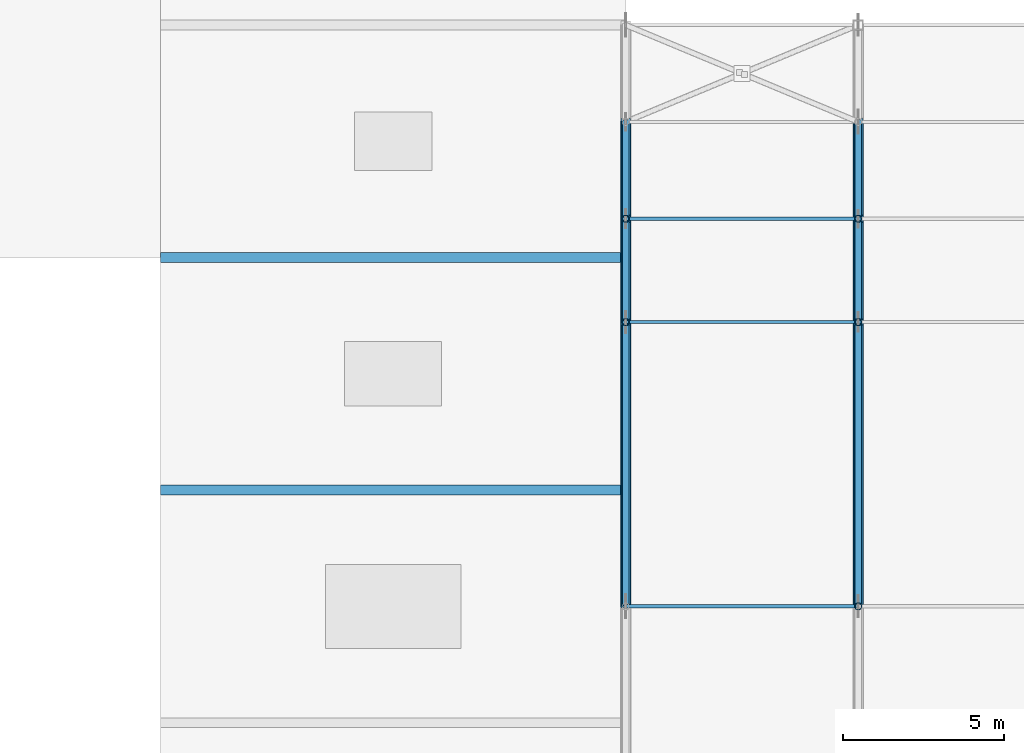
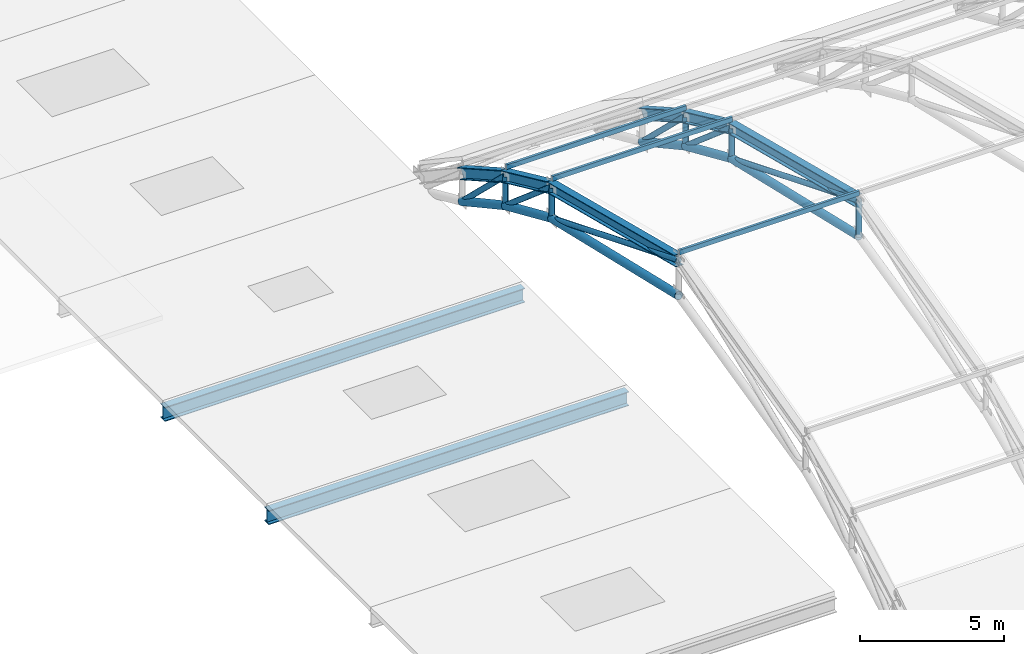
# One storey, part 16 of 63: 20 members, 8 beams.
"""IFC4 building model written with IfcOpenShell, lengths in metres."""

from ifc_helpers import new_model, si_unit, direction, frame, origin, origin_2d, place, context, subcontext, project, spatial, hollow_rectangle, hollow_circle, i_section, extrude, material, material_profile, profile_set, type_object, element, save


model = new_model("IFC4")

# Units and contexts
model_context = context("Model", 3, precision=1e-05, world=origin(), true_north=direction((0.0, 1.0)))
body_context = subcontext(model_context, "Body", "Model", "MODEL_VIEW")
ifc_project = project(units=[si_unit("LENGTHUNIT", "METRE"), si_unit("AREAUNIT", "SQUARE_METRE"), si_unit("VOLUMEUNIT", "CUBIC_METRE"), si_unit("PLANEANGLEUNIT", "RADIAN"), si_unit("MASSUNIT", "GRAM", prefix="KILO")], contexts=[model_context])

# Site, building, storey
site_placement = place(None, origin())
site = spatial("IfcSite", under=ifc_project, at=site_placement, CompositionType="ELEMENT")
building_placement = place(site_placement, origin())
building = spatial("IfcBuilding", under=site, at=building_placement, Name="Solvadek Multi-Sports Hall", CompositionType="ELEMENT")
storey_placement = place(building_placement, frame((0.0, 0.0, 19.199951171875)))
storey = spatial("IfcBuildingStorey", under=building, at=storey_placement, Name="RF", CompositionType="ELEMENT", Elevation=19.199951171875)

# Beams
ifc_material_1 = material(Name="Steel E350 (350 MPa)", Category="steel")
ifc_material_profile_1 = material_profile(ifc_material_1, i_section(OverallWidth=0.300048828125, OverallDepth=0.60009765625, WebThickness=0.015380859375, FlangeThickness=0.030029296875, at=origin_2d()), Name="WPB 600")
ifc_profile_set_1 = profile_set([ifc_material_profile_1], Name="Steel E350 (350 MPa)")
beam_type_1 = type_object("IfcBeamType", Name="STR-BM-WPB600", PredefinedType="BEAM", material=ifc_profile_set_1)
for number, where, z_axis, x_axis, name in (
    (1, (72.0, 27.60009765625, -4.099853515625), (1.0, 0.0, 0.0), (0.0, 1.0, 0.0), "V3 Passage Portal Girder #3"),
    (2, (72.0, 34.800048828125, -4.099853515625), (1.0, 0.0, 0.0), (0.0, 1.0, 0.0), "V3 Passage Portal Girder #4"),
):
    element("IfcBeam", number, at=place(storey_placement, frame(where, z_axis=z_axis, x_axis=x_axis)), inside=storey, type_object=beam_type_1, Name=name, PredefinedType="BEAM", context=body_context, shape_type="SweptSolid", body=[
        extrude(i_section(OverallWidth=0.300048828125, OverallDepth=0.60009765625, WebThickness=0.015380859375, FlangeThickness=0.030029296875, at=origin_2d()), origin(), (0.0, 0.0, 1.0), 14.39990234375),
    ])

# Members
ifc_material_profile_2 = material_profile(ifc_material_1, hollow_circle(Radius=0.109619140625, WallThickness=0.010009765625, at=origin_2d()), Name="CHS 219.1x10")
ifc_profile_set_2 = profile_set([ifc_material_profile_2], Name="Steel E350 (350 MPa)")
member_type_1 = type_object("IfcMemberType", Name="STR-BRC-CHS219", PredefinedType="BRACE", material=ifc_profile_set_2)
member_1_placement = place(storey_placement, frame((86.39990234375, 24.0, 3.85009765625), z_axis=(0.0, 0.927015158586, -0.375023860244), x_axis=(-1.0, 0.0, 0.0)))
element("IfcMember", 3, at=member_1_placement, inside=storey, type_object=member_type_1, Name="v1 Truss 1 Web Diagonal 5", PredefinedType="BRACE", context=body_context, shape_type="SweptSolid", body=[
    extrude(hollow_circle(Radius=0.109619140625, WallThickness=0.010009765625, at=origin_2d()), origin(), (0.0, 0.0, 1.0), 9.492919921875),
])
member_2_placement = place(storey_placement, frame((86.39990234375, 32.800048828125, 0.2900390625), z_axis=(0.0, 0.0, 1.0), x_axis=(1.0, 0.0, 0.0)))
element("IfcMember", 4, at=member_2_placement, inside=storey, type_object=member_type_1, Name="v1 Truss 1 Web Vertical 5", PredefinedType="BRACE", context=body_context, shape_type="SweptSolid", body=[
    extrude(hollow_circle(Radius=0.109619140625, WallThickness=0.010009765625, at=origin_2d()), origin(), (0.0, 0.0, 1.0), 1.3291015625),
])
member_3_placement = place(storey_placement, frame((86.39990234375, 32.800048828125, 1.619140625), z_axis=(0.0, 0.760074683686, -0.649835729411), x_axis=(-1.0, 0.0, 0.0)))
element("IfcMember", 5, at=member_3_placement, inside=storey, type_object=member_type_1, Name="v1 Truss 1 Web Diagonal 6", PredefinedType="BRACE", context=body_context, shape_type="SweptSolid", body=[
    extrude(hollow_circle(Radius=0.109619140625, WallThickness=0.010009765625, at=origin_2d()), origin(), (0.0, 0.0, 1.0), 4.2099609375),
])
member_4_placement = place(storey_placement, frame((86.39990234375, 36.0, -1.11669921875), z_axis=(0.0, 0.0, 1.0), x_axis=(1.0, 0.0, 0.0)))
element("IfcMember", 6, at=member_4_placement, inside=storey, type_object=member_type_1, Name="v1 Truss 1 Web Vertical 6", PredefinedType="BRACE", context=body_context, shape_type="SweptSolid", body=[
    extrude(hollow_circle(Radius=0.109619140625, WallThickness=0.010009765625, at=origin_2d()), origin(), (0.0, 0.0, 1.0), 1.266845703125),
])
member_5_placement = place(storey_placement, frame((86.39990234375, 36.0, 0.150146484375), z_axis=(0.0, 0.718473942669, -0.695553875487), x_axis=(-1.0, 0.0, 0.0)))
element("IfcMember", 7, at=member_5_placement, inside=storey, type_object=member_type_1, Name="v1 Truss 1 Web Diagonal 7", PredefinedType="BRACE", context=body_context, shape_type="SweptSolid", body=[
    extrude(hollow_circle(Radius=0.109619140625, WallThickness=0.010009765625, at=origin_2d()), origin(), (0.0, 0.0, 1.0), 4.175537109375),
])
member_6_placement = place(storey_placement, frame((93.60009765625, 24.0, 2.35009765625), z_axis=(0.0, 0.0, 1.0), x_axis=(1.0, 0.0, 0.0)))
element("IfcMember", 8, at=member_6_placement, inside=storey, type_object=member_type_1, Name="v1 Truss 2 Web Vertical 4", PredefinedType="BRACE", context=body_context, shape_type="SweptSolid", body=[
    extrude(hollow_circle(Radius=0.109619140625, WallThickness=0.010009765625, at=origin_2d()), origin(), (0.0, 0.0, 1.0), 1.5),
])
member_7_placement = place(storey_placement, frame((93.60009765625, 24.0, 3.85009765625), z_axis=(0.0, 0.927015158586, -0.375023860244), x_axis=(-1.0, 0.0, 0.0)))
element("IfcMember", 9, at=member_7_placement, inside=storey, type_object=member_type_1, Name="v1 Truss 2 Web Diagonal 5", PredefinedType="BRACE", context=body_context, shape_type="SweptSolid", body=[
    extrude(hollow_circle(Radius=0.109619140625, WallThickness=0.010009765625, at=origin_2d()), origin(), (0.0, 0.0, 1.0), 9.492919921875),
])
member_8_placement = place(storey_placement, frame((93.60009765625, 32.800048828125, 0.2900390625), z_axis=(0.0, 0.0, 1.0), x_axis=(1.0, 0.0, 0.0)))
element("IfcMember", 10, at=member_8_placement, inside=storey, type_object=member_type_1, Name="v1 Truss 2 Web Vertical 5", PredefinedType="BRACE", context=body_context, shape_type="SweptSolid", body=[
    extrude(hollow_circle(Radius=0.109619140625, WallThickness=0.010009765625, at=origin_2d()), origin(), (0.0, 0.0, 1.0), 1.3291015625),
])
member_9_placement = place(storey_placement, frame((93.60009765625, 32.800048828125, 1.619140625), z_axis=(0.0, 0.760074683686, -0.649835729411), x_axis=(-1.0, 0.0, 0.0)))
element("IfcMember", 11, at=member_9_placement, inside=storey, type_object=member_type_1, Name="v1 Truss 2 Web Diagonal 6", PredefinedType="BRACE", context=body_context, shape_type="SweptSolid", body=[
    extrude(hollow_circle(Radius=0.109619140625, WallThickness=0.010009765625, at=origin_2d()), origin(), (0.0, 0.0, 1.0), 4.2099609375),
])
member_10_placement = place(storey_placement, frame((93.60009765625, 36.0, -1.11669921875), z_axis=(0.0, 0.0, 1.0), x_axis=(1.0, 0.0, 0.0)))
element("IfcMember", 12, at=member_10_placement, inside=storey, type_object=member_type_1, Name="v1 Truss 2 Web Vertical 6", PredefinedType="BRACE", context=body_context, shape_type="SweptSolid", body=[
    extrude(hollow_circle(Radius=0.109619140625, WallThickness=0.010009765625, at=origin_2d()), origin(), (0.0, 0.0, 1.0), 1.266845703125),
])
member_11_placement = place(storey_placement, frame((93.60009765625, 36.0, 0.150146484375), z_axis=(0.0, 0.718473942669, -0.695553875487), x_axis=(-1.0, 0.0, 0.0)))
element("IfcMember", 13, at=member_11_placement, inside=storey, type_object=member_type_1, Name="v1 Truss 2 Web Diagonal 7", PredefinedType="BRACE", context=body_context, shape_type="SweptSolid", body=[
    extrude(hollow_circle(Radius=0.109619140625, WallThickness=0.010009765625, at=origin_2d()), origin(), (0.0, 0.0, 1.0), 4.175537109375),
])
ifc_material_profile_3 = material_profile(ifc_material_1, hollow_circle(Radius=0.161865234375, WallThickness=0.012451171875, at=origin_2d()), Name="CHS 323.9x12.5")
ifc_profile_set_3 = profile_set([ifc_material_profile_3], Name="Steel E350 (350 MPa)")
member_type_2 = type_object("IfcMemberType", Name="STR-CHD-CHS323", PredefinedType="CHORD", material=ifc_profile_set_3)
member_12_placement = place(storey_placement, frame((86.39990234375, 24.0, 2.35009765625), z_axis=(0.0, 0.973676572462, -0.227934052391), x_axis=(-1.0, 0.0, 0.0)))
element("IfcMember", 14, at=member_12_placement, inside=storey, type_object=member_type_2, Name="v1 Arched Truss 1 Bottom Chord 5", PredefinedType="CHORD", context=body_context, shape_type="SweptSolid", body=[
    extrude(hollow_circle(Radius=0.161865234375, WallThickness=0.012451171875, at=origin_2d()), origin(), (0.0, 0.0, 1.0), 9.037841796875),
])
member_13_placement = place(storey_placement, frame((86.39990234375, 32.800048828125, 0.2900390625), z_axis=(0.0, 0.915445777878, -0.402441334564), x_axis=(-1.0, 0.0, 0.0)))
element("IfcMember", 15, at=member_13_placement, inside=storey, type_object=member_type_2, Name="v1 Arched Truss 1 Bottom Chord 6", PredefinedType="CHORD", context=body_context, shape_type="SweptSolid", body=[
    extrude(hollow_circle(Radius=0.161865234375, WallThickness=0.012451171875, at=origin_2d()), origin(), (0.0, 0.0, 1.0), 3.49560546875),
])
member_14_placement = place(storey_placement, frame((86.39990234375, 36.0, -1.11669921875), z_axis=(0.0, 0.877761773463, -0.479097348195), x_axis=(-1.0, 0.0, 0.0)))
element("IfcMember", 16, at=member_14_placement, inside=storey, type_object=member_type_2, Name="v1 Arched Truss 1 Bottom Chord 7", PredefinedType="CHORD", context=body_context, shape_type="SweptSolid", body=[
    extrude(hollow_circle(Radius=0.161865234375, WallThickness=0.012451171875, at=origin_2d()), origin(), (0.0, 0.0, 1.0), 3.417724609375),
])
member_15_placement = place(storey_placement, frame((93.60009765625, 24.0, 2.35009765625), z_axis=(0.0, 0.973676572462, -0.227934052391), x_axis=(-1.0, 0.0, 0.0)))
element("IfcMember", 17, at=member_15_placement, inside=storey, type_object=member_type_2, Name="v1 Arched Truss 2 Bottom Chord 5", PredefinedType="CHORD", context=body_context, shape_type="SweptSolid", body=[
    extrude(hollow_circle(Radius=0.161865234375, WallThickness=0.012451171875, at=origin_2d()), origin(), (0.0, 0.0, 1.0), 9.037841796875),
])
member_16_placement = place(storey_placement, frame((93.60009765625, 32.800048828125, 0.2900390625), z_axis=(0.0, 0.915445777878, -0.402441334564), x_axis=(-1.0, 0.0, 0.0)))
element("IfcMember", 18, at=member_16_placement, inside=storey, type_object=member_type_2, Name="v1 Arched Truss 2 Bottom Chord 6", PredefinedType="CHORD", context=body_context, shape_type="SweptSolid", body=[
    extrude(hollow_circle(Radius=0.161865234375, WallThickness=0.012451171875, at=origin_2d()), origin(), (0.0, 0.0, 1.0), 3.49560546875),
])
member_17_placement = place(storey_placement, frame((93.60009765625, 36.0, -1.11669921875), z_axis=(0.0, 0.877761773463, -0.479097348195), x_axis=(-1.0, 0.0, 0.0)))
element("IfcMember", 19, at=member_17_placement, inside=storey, type_object=member_type_2, Name="v1 Arched Truss 2 Bottom Chord 7", PredefinedType="CHORD", context=body_context, shape_type="SweptSolid", body=[
    extrude(hollow_circle(Radius=0.161865234375, WallThickness=0.012451171875, at=origin_2d()), origin(), (0.0, 0.0, 1.0), 3.417724609375),
])
ifc_material_2 = material(Name="Steel E250 (250 MPa)", Category="steel")
ifc_material_profile_4 = material_profile(ifc_material_2, hollow_rectangle(XDim=0.10009765625, YDim=0.199951171875, WallThickness=0.008056640625, at=origin_2d()), Name="RHS 200x100x8")
ifc_profile_set_4 = profile_set([ifc_material_profile_4], Name="Steel E250 (250 MPa)")
member_type_3 = type_object("IfcMemberType", Name="STR-PUR-RHS200", PredefinedType="PURLIN", material=ifc_profile_set_4)
for number, where, z_axis, x_axis, name in (
    (20, (86.39990234375, 24.0, 4.18603515625), (1.0, 0.0, 0.0), (0.0, 1.0, 0.0), "V1 Roof Purlin #5"),
    (21, (86.39990234375, 32.800048828125, 1.970703125), (1.0, 0.0, 0.0), (0.0, 1.0, 0.0), "V1 Roof Purlin #6"),
    (22, (86.39990234375, 36.0, 0.512451171875), (1.0, 0.0, 0.0), (0.0, 1.0, 0.0), "V1 Roof Purlin #7"),
):
    element("IfcMember", number, at=place(storey_placement, frame(where, z_axis=z_axis, x_axis=x_axis)), inside=storey, type_object=member_type_3, Name=name, PredefinedType="PURLIN", context=body_context, shape_type="SweptSolid", body=[
        extrude(hollow_rectangle(XDim=0.10009765625, YDim=0.199951171875, WallThickness=0.008056640625, at=origin_2d()), origin(), (0.0, 0.0, 1.0), 7.2001953125),
    ])

# Beams
ifc_material_profile_5 = material_profile(ifc_material_1, i_section(OverallWidth=0.300048828125, OverallDepth=0.449951171875, WebThickness=0.013916015625, FlangeThickness=0.02587890625, at=origin_2d()), Name="WPB 450")
ifc_profile_set_5 = profile_set([ifc_material_profile_5], Name="Steel E350 (350 MPa)")
beam_type_2 = type_object("IfcBeamType", Name="STR-TRS-WPB450", PredefinedType="USERDEFINED", material=ifc_profile_set_5)
beam_1_placement = place(storey_placement, frame((86.39990234375, 24.0, 3.85009765625), z_axis=(0.0, 0.969335170668, -0.245742399488), x_axis=(-1.0, 0.0, 0.0)))
element("IfcBeam", 23, at=beam_1_placement, inside=storey, type_object=beam_type_2, Name="v1 Arched Truss 1 Top Chord 5", ObjectType="ROOF TRUSS", PredefinedType="USERDEFINED", context=body_context, shape_type="SweptSolid", body=[
    extrude(i_section(OverallWidth=0.300048828125, OverallDepth=0.449951171875, WebThickness=0.013916015625, FlangeThickness=0.02587890625, at=origin_2d()), origin(), (0.0, 0.0, 1.0), 9.078369140625),
])
beam_2_placement = place(storey_placement, frame((86.39990234375, 32.800048828125, 1.619140625), z_axis=(0.0, 0.908811875669, -0.417206153651), x_axis=(-1.0, 0.0, 0.0)))
element("IfcBeam", 24, at=beam_2_placement, inside=storey, type_object=beam_type_2, Name="v1 Arched Truss 1 Top Chord 6", ObjectType="ROOF TRUSS", PredefinedType="USERDEFINED", context=body_context, shape_type="SweptSolid", body=[
    extrude(i_section(OverallWidth=0.300048828125, OverallDepth=0.449951171875, WebThickness=0.013916015625, FlangeThickness=0.02587890625, at=origin_2d()), origin(), (0.0, 0.0, 1.0), 3.52099609375),
])
beam_3_placement = place(storey_placement, frame((86.39990234375, 36.0, 0.150146484375), z_axis=(0.0, 0.870544365607, -0.492089938436), x_axis=(-1.0, 0.0, 0.0)))
element("IfcBeam", 25, at=beam_3_placement, inside=storey, type_object=beam_type_2, Name="v1 Arched Truss 1 Top Chord 7", ObjectType="ROOF TRUSS", PredefinedType="USERDEFINED", context=body_context, shape_type="SweptSolid", body=[
    extrude(i_section(OverallWidth=0.300048828125, OverallDepth=0.449951171875, WebThickness=0.013916015625, FlangeThickness=0.02587890625, at=origin_2d()), origin(), (0.0, 0.0, 1.0), 3.446044921875),
])
beam_4_placement = place(storey_placement, frame((93.60009765625, 24.0, 3.85009765625), z_axis=(0.0, 0.969335170668, -0.245742399488), x_axis=(-1.0, 0.0, 0.0)))
element("IfcBeam", 26, at=beam_4_placement, inside=storey, type_object=beam_type_2, Name="v1 Arched Truss 2 Top Chord 5", ObjectType="ROOF TRUSS", PredefinedType="USERDEFINED", context=body_context, shape_type="SweptSolid", body=[
    extrude(i_section(OverallWidth=0.300048828125, OverallDepth=0.449951171875, WebThickness=0.013916015625, FlangeThickness=0.02587890625, at=origin_2d()), origin(), (0.0, 0.0, 1.0), 9.078369140625),
])
beam_5_placement = place(storey_placement, frame((93.60009765625, 32.800048828125, 1.619140625), z_axis=(0.0, 0.908811875669, -0.417206153651), x_axis=(-1.0, 0.0, 0.0)))
element("IfcBeam", 27, at=beam_5_placement, inside=storey, type_object=beam_type_2, Name="v1 Arched Truss 2 Top Chord 6", ObjectType="ROOF TRUSS", PredefinedType="USERDEFINED", context=body_context, shape_type="SweptSolid", body=[
    extrude(i_section(OverallWidth=0.300048828125, OverallDepth=0.449951171875, WebThickness=0.013916015625, FlangeThickness=0.02587890625, at=origin_2d()), origin(), (0.0, 0.0, 1.0), 3.52099609375),
])
beam_6_placement = place(storey_placement, frame((93.60009765625, 36.0, 0.150146484375), z_axis=(0.0, 0.870544365607, -0.492089938436), x_axis=(-1.0, 0.0, 0.0)))
element("IfcBeam", 28, at=beam_6_placement, inside=storey, type_object=beam_type_2, Name="v1 Arched Truss 2 Top Chord 7", ObjectType="ROOF TRUSS", PredefinedType="USERDEFINED", context=body_context, shape_type="SweptSolid", body=[
    extrude(i_section(OverallWidth=0.300048828125, OverallDepth=0.449951171875, WebThickness=0.013916015625, FlangeThickness=0.02587890625, at=origin_2d()), origin(), (0.0, 0.0, 1.0), 3.446044921875),
])

save(model, "model.ifc")
